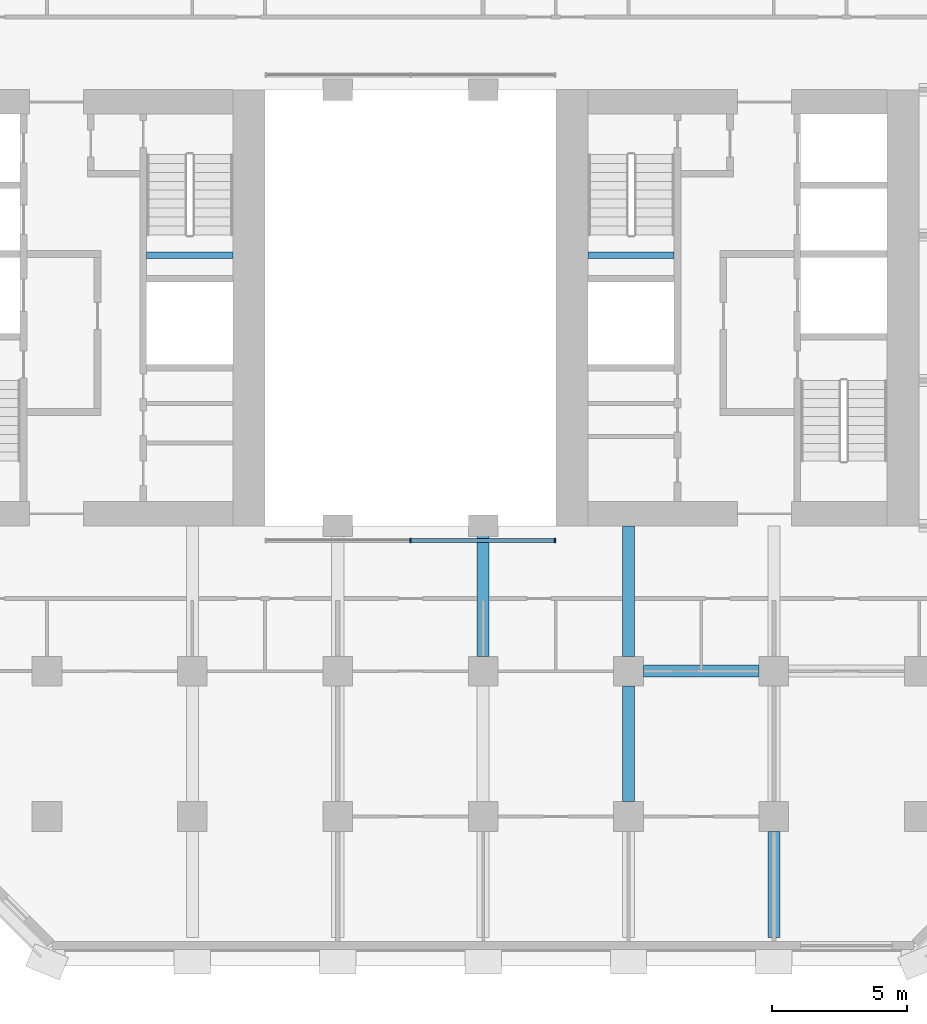
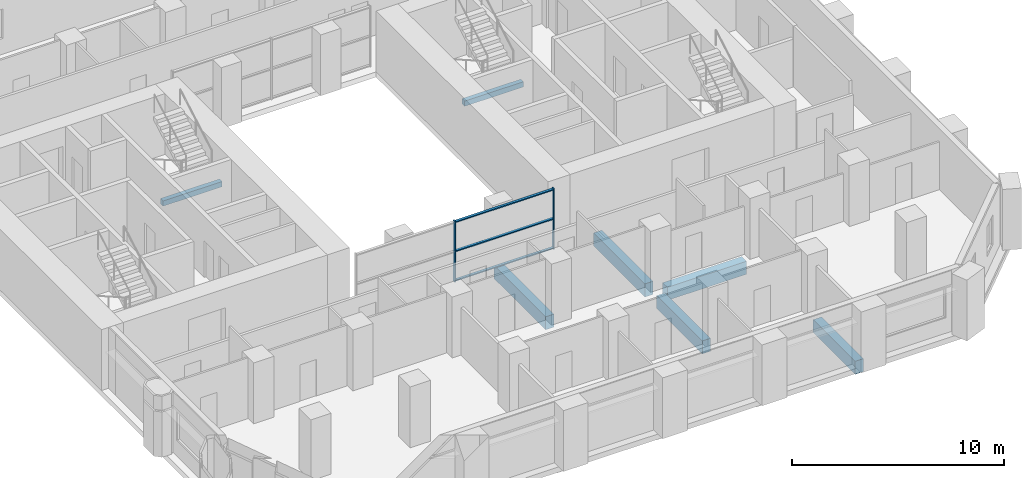
# One storey, part 4 of 13: 7 beams, 5 members, 1 element without a shape of its own.
"""IFC4 building model written with IfcOpenShell, lengths in metres."""

from ifc_helpers import new_model, si_unit, direction, frame, origin, origin_2d, place, context, subcontext, project, spatial, rectangle, extrude, material, material_profile, profile_set, type_object, element, aggregate, save


model = new_model("IFC4")

# Units and contexts
model_context = context("Model", 3, precision=1e-05, world=origin(), true_north=direction((0.0, 1.0)))
body_context = subcontext(model_context, "Body", "Model", "MODEL_VIEW")
ifc_project = project(units=[si_unit("LENGTHUNIT", "METRE"), si_unit("AREAUNIT", "SQUARE_METRE"), si_unit("VOLUMEUNIT", "CUBIC_METRE"), si_unit("PLANEANGLEUNIT", "RADIAN"), si_unit("MASSUNIT", "GRAM", prefix="KILO")], contexts=[model_context])

# Site, building, storey
site_placement = place(None, origin())
site = spatial("IfcSite", under=ifc_project, at=site_placement, CompositionType="ELEMENT")
building_placement = place(site_placement, origin())
building = spatial("IfcBuilding", under=site, at=building_placement, Name="Tabaq Tower and Sports Hall", CompositionType="ELEMENT")
storey_placement = place(building_placement, frame((0.0, 0.0, 37.39990234375)))
storey = spatial("IfcBuildingStorey", under=building, at=storey_placement, Name="L07", CompositionType="ELEMENT", Elevation=37.39990234375)

# Curtain wall, members
ifc_material_1 = material(Name="Aluminium alloy 6063-T6 framed glazing", Category="aluminium")
curtain_wall_type = type_object("IfcCurtainWallType", Name="CW1 curtain wall", PredefinedType="USERDEFINED", material=ifc_material_1)
curtain_wall_placement = place(storey_placement, origin())
curtain_wall = element("IfcCurtainWall", 1, at=curtain_wall_placement, inside=storey, type_object=curtain_wall_type, Name="Atrium glazing L07 S", ObjectType="ATRIUM ENCLOSURE", PredefinedType="USERDEFINED")
ifc_material_2 = material(Name="Aluminium alloy 6063-T6", Category="aluminium")
ifc_material_profile_1 = material_profile(ifc_material_2, rectangle(XDim=0.159912109375, YDim=0.06005859375, at=origin_2d()), Name="MULLION 160x60")
ifc_profile_set_1 = profile_set([ifc_material_profile_1], Name="Aluminium alloy 6063-T6")
member_type_1 = type_object("IfcMemberType", Name="CW1 mullion 160x60", PredefinedType="MULLION", material=ifc_profile_set_1)
member_1_placement = place(storey_placement, frame((24.300048828125, 15.64990234375, 0.0), z_axis=(0.0, 0.0, 1.0), x_axis=(0.0, 1.0, 0.0)))
member_1 = element("IfcMember", 2, at=member_1_placement, type_object=member_type_1, Name="CW1 mullion 2", PredefinedType="MULLION", context=body_context, shape_type="SweptSolid", body=[
    extrude(rectangle(XDim=0.159912109375, YDim=0.06005859375, at=origin_2d()), origin(), (0.0, 0.0, 1.0), 3.5),
])
member_2_placement = place(storey_placement, frame((29.669921875, 15.64990234375, 0.0), z_axis=(0.0, 0.0, 1.0), x_axis=(0.0, 1.0, 0.0)))
member_2 = element("IfcMember", 3, at=member_2_placement, type_object=member_type_1, Name="CW1 mullion 3", PredefinedType="MULLION", context=body_context, shape_type="SweptSolid", body=[
    extrude(rectangle(XDim=0.159912109375, YDim=0.06005859375, at=origin_2d()), origin(), (0.0, 0.0, 1.0), 3.5),
])
ifc_material_3 = material(Name="Aluminium alloy 6063-T6", Category="aluminium")
ifc_material_profile_2 = material_profile(ifc_material_3, rectangle(XDim=0.139892578125, YDim=0.06005859375, at=origin_2d()), Name="TRANSOM 140x60")
ifc_profile_set_2 = profile_set([ifc_material_profile_2], Name="Aluminium alloy 6063-T6")
member_type_2 = type_object("IfcMemberType", Name="CW1 transom 140x60", PredefinedType="USERDEFINED", material=ifc_profile_set_2)
member_3_placement = place(storey_placement, frame((24.330078125, 15.64990234375, 0.070068359375), z_axis=(1.0, 0.0, 0.0), x_axis=(0.0, 1.0, 0.0)))
member_3 = element("IfcMember", 4, at=member_3_placement, type_object=member_type_2, Name="CW1 transom 2.1", ObjectType="TRANSOM", PredefinedType="USERDEFINED", context=body_context, shape_type="SweptSolid", body=[
    extrude(rectangle(XDim=0.139892578125, YDim=0.06005859375, at=origin_2d()), origin(), (0.0, 0.0, 1.0), 5.309814453125),
])
member_4_placement = place(storey_placement, frame((24.330078125, 15.64990234375, 1.75), z_axis=(1.0, 0.0, 0.0), x_axis=(0.0, 1.0, 0.0)))
member_4 = element("IfcMember", 5, at=member_4_placement, type_object=member_type_2, Name="CW1 transom 2.2", ObjectType="TRANSOM", PredefinedType="USERDEFINED", context=body_context, shape_type="SweptSolid", body=[
    extrude(rectangle(XDim=0.139892578125, YDim=0.06005859375, at=origin_2d()), origin(), (0.0, 0.0, 1.0), 5.309814453125),
])
member_5_placement = place(storey_placement, frame((24.330078125, 15.64990234375, 3.43017578125), z_axis=(1.0, 0.0, 0.0), x_axis=(0.0, 1.0, 0.0)))
member_5 = element("IfcMember", 6, at=member_5_placement, type_object=member_type_2, Name="CW1 transom 2.3", ObjectType="TRANSOM", PredefinedType="USERDEFINED", context=body_context, shape_type="SweptSolid", body=[
    extrude(rectangle(XDim=0.139892578125, YDim=0.06005859375, at=origin_2d()), origin(), (0.0, 0.0, 1.0), 5.309814453125),
])
aggregate(curtain_wall, [member_1, member_2, member_3, member_4, member_5])

# Beams
ifc_material_4 = material(Name="Concrete C40/50", Category="concrete")
ifc_material_profile_3 = material_profile(ifc_material_4, rectangle(XDim=0.449951171875, YDim=0.75, at=origin_2d()), Name="CB 450x750")
ifc_profile_set_3 = profile_set([ifc_material_profile_3], Name="Concrete C40/50")
beam_type_1 = type_object("IfcBeamType", Name="PT CANTILEVER BEAM CB 450x750 C40/50", PredefinedType="BEAM", material=ifc_profile_set_3)
beam_1_placement = place(storey_placement, frame((37.25, 10.800048828125, -0.6748046875), z_axis=(-1.0, 0.0, 0.0), x_axis=(0.0, -1.0, 0.0)))
element("IfcBeam", 7, at=beam_1_placement, inside=storey, type_object=beam_type_1, Name="Cantilever Beam L07 E2 span 3", PredefinedType="BEAM", context=body_context, shape_type="SweptSolid", body=[
    extrude(rectangle(XDim=0.449951171875, YDim=0.75, at=origin_2d()), origin(), (0.0, 0.0, 1.0), 4.300048828125),
])
beam_2_placement = place(storey_placement, frame((27.0, 11.35009765625, -0.6748046875), z_axis=(0.0, 1.0, 0.0), x_axis=(-1.0, 0.0, 0.0)))
element("IfcBeam", 8, at=beam_2_placement, inside=storey, type_object=beam_type_1, Name="Cantilever Beam L07 S5 span 3", PredefinedType="BEAM", context=body_context, shape_type="SweptSolid", body=[
    extrude(rectangle(XDim=0.449951171875, YDim=0.75, at=origin_2d()), origin(), (0.0, 0.0, 1.0), 4.849853515625),
])
beam_3_placement = place(storey_placement, frame((32.39990234375, 5.949951171875, -0.6748046875), z_axis=(0.0, 1.0, 0.0), x_axis=(-1.0, 0.0, 0.0)))
element("IfcBeam", 9, at=beam_3_placement, inside=storey, type_object=beam_type_1, Name="Cantilever Beam L07 S6 span 2", PredefinedType="BEAM", context=body_context, shape_type="SweptSolid", body=[
    extrude(rectangle(XDim=0.449951171875, YDim=0.75, at=origin_2d()), origin(), (0.0, 0.0, 1.0), 4.300048828125),
])
beam_4_placement = place(storey_placement, frame((32.39990234375, 11.35009765625, -0.6748046875), z_axis=(0.0, 1.0, 0.0), x_axis=(-1.0, 0.0, 0.0)))
element("IfcBeam", 10, at=beam_4_placement, inside=storey, type_object=beam_type_1, Name="Cantilever Beam L07 S6 span 3", PredefinedType="BEAM", context=body_context, shape_type="SweptSolid", body=[
    extrude(rectangle(XDim=0.449951171875, YDim=0.75, at=origin_2d()), origin(), (0.0, 0.0, 1.0), 4.849853515625),
])
beam_5_placement = place(storey_placement, frame((37.800048828125, 0.89990234375, -0.6748046875), z_axis=(0.0, 1.0, 0.0), x_axis=(-1.0, 0.0, 0.0)))
element("IfcBeam", 11, at=beam_5_placement, inside=storey, type_object=beam_type_1, Name="Cantilever Beam L07 S7 span 1", PredefinedType="BEAM", context=body_context, shape_type="SweptSolid", body=[
    extrude(rectangle(XDim=0.449951171875, YDim=0.75, at=origin_2d()), origin(), (0.0, 0.0, 1.0), 3.9501953125),
])
ifc_material_5 = material(Name="Concrete C40/50", Category="concrete")
ifc_material_profile_4 = material_profile(ifc_material_5, rectangle(XDim=0.25, YDim=0.300048828125, at=origin_2d()), Name="RC 250x300")
ifc_profile_set_4 = profile_set([ifc_material_profile_4], Name="Concrete C40/50")
beam_type_2 = type_object("IfcBeamType", Name="Stair landing beam 250x300", PredefinedType="BEAM", material=ifc_profile_set_4)
beam_6_placement = place(storey_placement, frame((14.5, 26.25, 1.550048828125), z_axis=(1.0, 0.0, 0.0), x_axis=(0.0, 1.0, 0.0)))
element("IfcBeam", 12, at=beam_6_placement, inside=storey, type_object=beam_type_2, Name="L07 ST2 landing beam 1", PredefinedType="BEAM", context=body_context, shape_type="SweptSolid", body=[
    extrude(rectangle(XDim=0.25, YDim=0.300048828125, at=origin_2d()), origin(), (0.0, 0.0, 1.0), 3.199951171875),
])
beam_7_placement = place(storey_placement, frame((30.89990234375, 26.25, 1.550048828125), z_axis=(1.0, 0.0, 0.0), x_axis=(0.0, 1.0, 0.0)))
element("IfcBeam", 13, at=beam_7_placement, inside=storey, type_object=beam_type_2, Name="L07 ST4 landing beam 1", PredefinedType="BEAM", context=body_context, shape_type="SweptSolid", body=[
    extrude(rectangle(XDim=0.25, YDim=0.300048828125, at=origin_2d()), origin(), (0.0, 0.0, 1.0), 3.2001953125),
])

save(model, "model.ifc")
